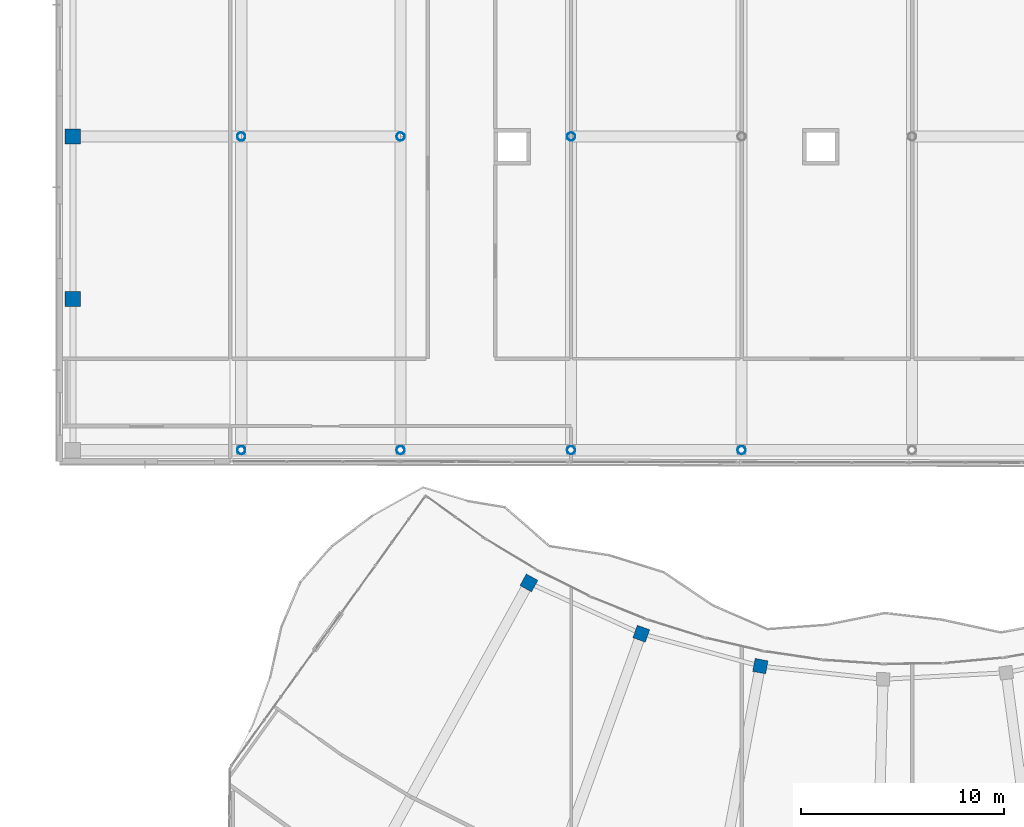
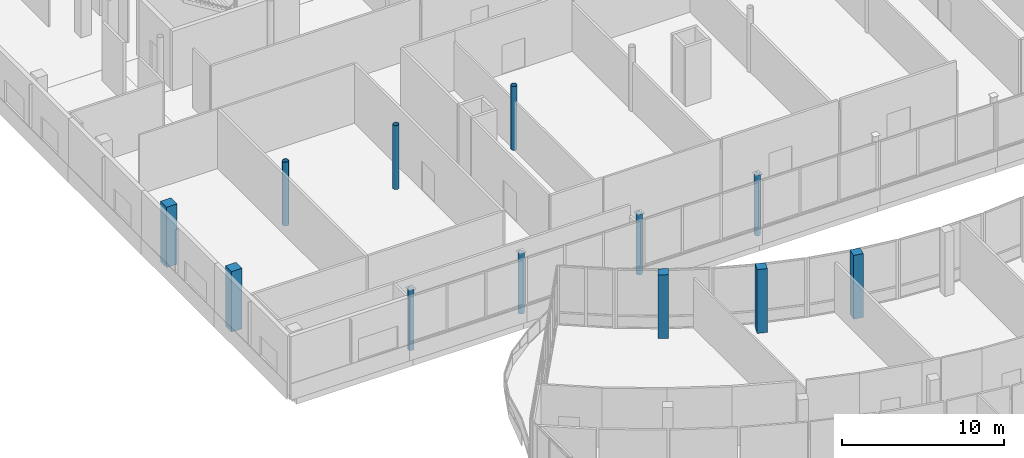
# One storey, part 2 of 155: 12 columns.
"""IFC4 building model written with IfcOpenShell, lengths in metres."""

from ifc_helpers import new_model, si_unit, direction, frame, origin, origin_2d, place, context, subcontext, project, spatial, rectangle, hollow_circle, extrude, material, material_profile, profile_set, type_object, element, save


model = new_model("IFC4")

# Units and contexts
model_context = context("Model", 3, precision=1e-05, world=origin(), true_north=direction((0.0, 1.0)))
body_context = subcontext(model_context, "Body", "Model", "MODEL_VIEW")
ifc_project = project(units=[si_unit("LENGTHUNIT", "METRE"), si_unit("AREAUNIT", "SQUARE_METRE"), si_unit("VOLUMEUNIT", "CUBIC_METRE"), si_unit("PLANEANGLEUNIT", "RADIAN"), si_unit("MASSUNIT", "GRAM", prefix="KILO")], contexts=[model_context])

# Site, building, storey
site_placement = place(None, origin())
site = spatial("IfcSite", under=ifc_project, at=site_placement, CompositionType="ELEMENT")
building_placement = place(site_placement, origin())
building = spatial("IfcBuilding", under=site, at=building_placement, Name="Selatvlak General Hospital", CompositionType="ELEMENT")
storey_placement = place(building_placement, frame((0.0, 0.0, 10.199951171875)))
storey = spatial("IfcBuildingStorey", under=building, at=storey_placement, Name="L02", CompositionType="ELEMENT", Elevation=10.199951171875)

# Columns
ifc_material_1 = material(Name="Steel S355", Category="steel")
ifc_material_profile_1 = material_profile(ifc_material_1, hollow_circle(Radius=0.203125, WallThickness=0.01611328125, at=origin_2d()), Name="CHS 406.4x16")
ifc_profile_set_1 = profile_set([ifc_material_profile_1], Name="Steel S355")
column_type_1 = type_object("IfcColumnType", Name="COL-CHS406", PredefinedType="COLUMN", material=ifc_profile_set_1)
column_1_placement = place(storey_placement, frame((23.35009765625, 52.550048828125, 0.0), z_axis=(0.0, 0.0, 1.0), x_axis=(1.0, 0.0, 0.0)))
element("IfcColumn", 1, at=column_1_placement, inside=storey, type_object=column_type_1, Name="Column 001 on L02", PredefinedType="COLUMN", context=body_context, shape_type="SweptSolid", body=[
    extrude(hollow_circle(Radius=0.203125, WallThickness=0.01611328125, at=origin_2d()), origin(), (0.0, 0.0, 1.0), 4.554931640625),
])
column_2_placement = place(storey_placement, frame((23.35009765625, 68.0, 0.0), z_axis=(0.0, 0.0, 1.0), x_axis=(1.0, 0.0, 0.0)))
element("IfcColumn", 2, at=column_2_placement, inside=storey, type_object=column_type_1, Name="Column 002 on L02", PredefinedType="COLUMN", context=body_context, shape_type="SweptSolid", body=[
    extrude(hollow_circle(Radius=0.203125, WallThickness=0.01611328125, at=origin_2d()), origin(), (0.0, 0.0, 1.0), 4.800048828125),
])
column_3_placement = place(storey_placement, frame((31.199951171875, 52.550048828125, 0.0), z_axis=(0.0, 0.0, 1.0), x_axis=(1.0, 0.0, 0.0)))
element("IfcColumn", 3, at=column_3_placement, inside=storey, type_object=column_type_1, Name="Column 004 on L02", PredefinedType="COLUMN", context=body_context, shape_type="SweptSolid", body=[
    extrude(hollow_circle(Radius=0.203125, WallThickness=0.01611328125, at=origin_2d()), origin(), (0.0, 0.0, 1.0), 4.554931640625),
])
column_4_placement = place(storey_placement, frame((31.199951171875, 68.0, 0.0), z_axis=(0.0, 0.0, 1.0), x_axis=(1.0, 0.0, 0.0)))
element("IfcColumn", 4, at=column_4_placement, inside=storey, type_object=column_type_1, Name="Column 005 on L02", PredefinedType="COLUMN", context=body_context, shape_type="SweptSolid", body=[
    extrude(hollow_circle(Radius=0.203125, WallThickness=0.01611328125, at=origin_2d()), origin(), (0.0, 0.0, 1.0), 4.800048828125),
])
column_5_placement = place(storey_placement, frame((39.60009765625, 52.550048828125, 0.0), z_axis=(0.0, 0.0, 1.0), x_axis=(1.0, 0.0, 0.0)))
element("IfcColumn", 5, at=column_5_placement, inside=storey, type_object=column_type_1, Name="Column 007 on L02", PredefinedType="COLUMN", context=body_context, shape_type="SweptSolid", body=[
    extrude(hollow_circle(Radius=0.203125, WallThickness=0.01611328125, at=origin_2d()), origin(), (0.0, 0.0, 1.0), 4.554931640625),
])
column_6_placement = place(storey_placement, frame((39.60009765625, 68.0, 0.0), z_axis=(0.0, 0.0, 1.0), x_axis=(1.0, 0.0, 0.0)))
element("IfcColumn", 6, at=column_6_placement, inside=storey, type_object=column_type_1, Name="Column 008 on L02", PredefinedType="COLUMN", context=body_context, shape_type="SweptSolid", body=[
    extrude(hollow_circle(Radius=0.203125, WallThickness=0.01611328125, at=origin_2d()), origin(), (0.0, 0.0, 1.0), 4.800048828125),
])
column_7_placement = place(storey_placement, frame((48.0, 52.550048828125, 0.0), z_axis=(0.0, 0.0, 1.0), x_axis=(1.0, 0.0, 0.0)))
element("IfcColumn", 7, at=column_7_placement, inside=storey, type_object=column_type_1, Name="Column 010 on L02", PredefinedType="COLUMN", context=body_context, shape_type="SweptSolid", body=[
    extrude(hollow_circle(Radius=0.203125, WallThickness=0.01611328125, at=origin_2d()), origin(), (0.0, 0.0, 1.0), 4.554931640625),
])
ifc_material_2 = material(Name="Concrete C40/50", Category="concrete")
ifc_material_profile_2 = material_profile(ifc_material_2, rectangle(XDim=0.64990234375, YDim=0.64990234375, at=origin_2d()), Name="RC-COL 650x650")
ifc_profile_set_2 = profile_set([ifc_material_profile_2], Name="Concrete C40/50")
column_type_2 = type_object("IfcColumnType", Name="COL-RC65", PredefinedType="COLUMN", material=ifc_profile_set_2)
for number, where, z_axis, x_axis, name in (
    (8, (37.52099609375, 46.009033203125, 0.0), (0.0, 0.0, 1.0), (0.483007324118, 0.875616311434, 0.0), "Column 314 on L02"),
    (9, (43.05908203125, 43.506103515625, 0.0), (0.0, 0.0, 1.0), (0.338261654325, 0.941052099096, 0.0), "Column 316 on L02"),
    (10, (48.924072265625, 41.909912109375, 0.0), (0.0, 0.0, 1.0), (0.184997729111, 0.982738948156, 0.0), "Column 319 on L02"),
):
    element("IfcColumn", number, at=place(storey_placement, frame(where, z_axis=z_axis, x_axis=x_axis)), inside=storey, type_object=column_type_2, Name=name, PredefinedType="COLUMN", context=body_context, shape_type="SweptSolid", body=[
        extrude(rectangle(XDim=0.64990234375, YDim=0.64990234375, at=origin_2d()), origin(), (0.0, 0.0, 1.0), 4.800048828125),
    ])
ifc_material_3 = material(Name="Concrete C50/60", Category="concrete")
ifc_material_profile_3 = material_profile(ifc_material_3, rectangle(XDim=0.75, YDim=0.75, at=origin_2d()), Name="RC-COL 750x750")
ifc_profile_set_3 = profile_set([ifc_material_profile_3], Name="Concrete C50/60")
column_type_3 = type_object("IfcColumnType", Name="COL-RC75", PredefinedType="COLUMN", material=ifc_profile_set_3)
for number, where, z_axis, x_axis, name in (
    (11, (15.050048828125, 60.0, 0.0), (0.0, 0.0, 1.0), (1.0, 0.0, 0.0), "Column 062 on L02"),
    (12, (15.050048828125, 68.0, 0.0), (0.0, 0.0, 1.0), (1.0, 0.0, 0.0), "Column 064 on L02"),
):
    element("IfcColumn", number, at=place(storey_placement, frame(where, z_axis=z_axis, x_axis=x_axis)), inside=storey, type_object=column_type_3, Name=name, PredefinedType="COLUMN", context=body_context, shape_type="SweptSolid", body=[
        extrude(rectangle(XDim=0.75, YDim=0.75, at=origin_2d()), origin(), (0.0, 0.0, 1.0), 4.5400390625),
    ])

save(model, "model.ifc")
